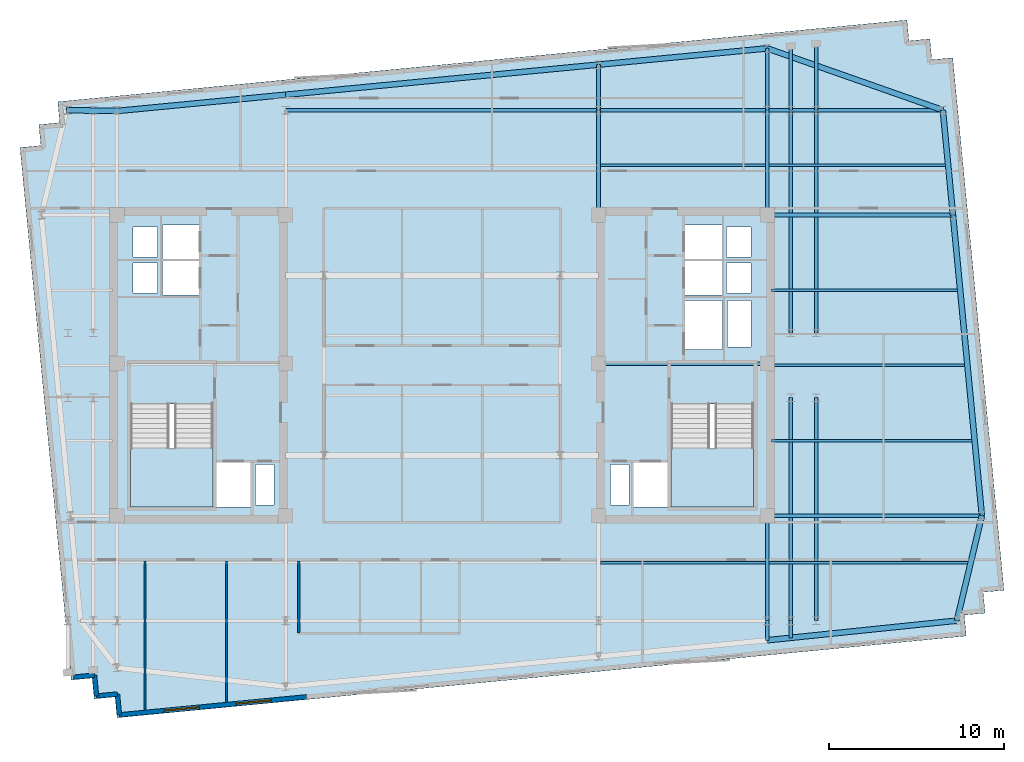
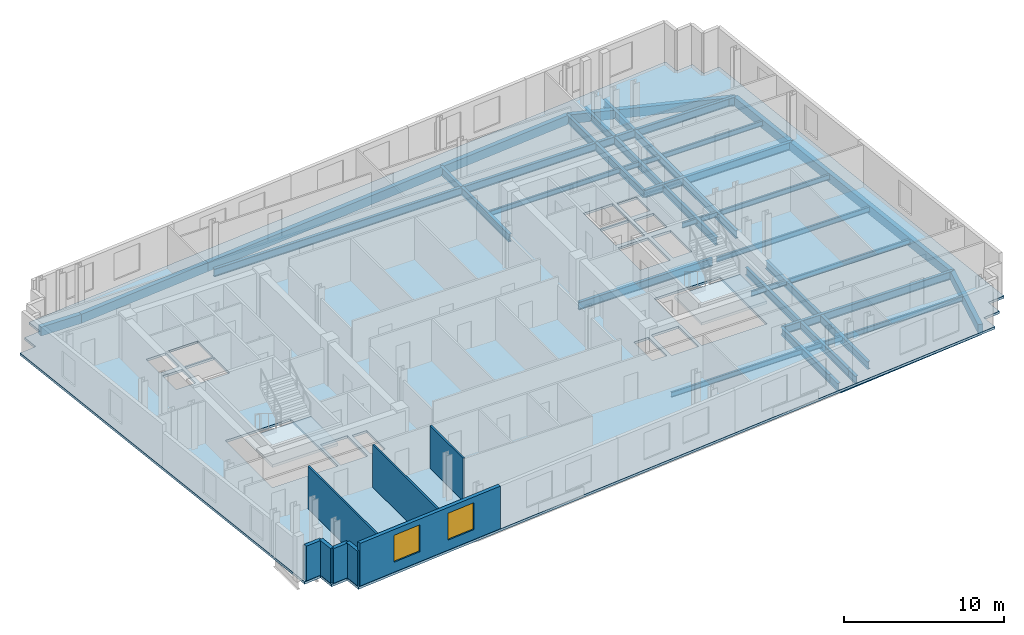
# One storey, part 2 of 9: 35 beams, 8 walls, 3 slabs, 2 windows, 2 openings, 2 elements without a shape of their own.
"""IFC4 building model written with IfcOpenShell, lengths in metres."""

import ifcopenshell
import ifcopenshell.guid

model = None  # the IFC model being written
_history = None  # IfcOwnerHistory: only IFC2X3 demands one
_inside = {}  # id of a spatial element -> (the spatial element, [elements in it])
_under = {}  # id of a project, library or spatial element -> (it, [spatial elements below it])
_declared = {}  # id of a project -> (the project, [libraries it declares])
_typed = {}  # id of a type object -> (the type object, [elements of that type])
_made_of = {}  # id of a material, layer set ... -> (it, [elements and type objects made of it])


def new_model(schema):
    """Start an empty IFC model of exactly this schema.

    Asked for "IFC4X3", IfcOpenShell would pick the latest addendum, in which some entities
    have other attributes; the version numbers below select the first issue.
    IFC2X3 requires an IfcOwnerHistory on every rooted entity: one is made here for all.
    """
    global model, _history
    if schema == "IFC4X3":
        model = ifcopenshell.file(schema_version=(4, 3, 0, 0))
    else:
        model = ifcopenshell.file(schema=schema)
    _inside.clear()
    _under.clear()
    _declared.clear()
    _typed.clear()
    _made_of.clear()
    _history = None
    if model.schema == "IFC2X3":
        org = make("IfcOrganization", Name="unknown")
        user = make(
            "IfcPersonAndOrganization",
            ThePerson=make("IfcPerson", FamilyName="unknown"),
            TheOrganization=org,
        )
        app = make(
            "IfcApplication",
            ApplicationDeveloper=org,
            Version="unknown",
            ApplicationFullName="unknown",
            ApplicationIdentifier="unknown",
        )
        _history = make(
            "IfcOwnerHistory",
            OwningUser=user,
            OwningApplication=app,
            ChangeAction="ADDED",
            CreationDate=0,
        )
    return model


def make(cls, **values):
    """One entity of the class cls with the attributes given. An attribute that is None is left unset."""
    return model.create_entity(
        cls, **{name: value for name, value in values.items() if value is not None}
    )


def rooted(cls, **values):
    """An entity with a GlobalId (a new one), such as an element, a storey or a relation."""
    return make(cls, GlobalId=ifcopenshell.guid.new(), OwnerHistory=_history, **values)


def si_unit(unit_type, name, prefix=None):
    """IfcSIUnit, for example si_unit("LENGTHUNIT", "METRE", prefix="MILLI")."""
    return make("IfcSIUnit", UnitType=unit_type, Prefix=prefix, Name=name)


def assignment(units):
    """IfcUnitAssignment: the units of a project."""
    return None if units is None else make("IfcUnitAssignment", Units=units)


def point(xyz):
    """IfcCartesianPoint."""
    return None if xyz is None else make("IfcCartesianPoint", Coordinates=xyz)


def direction(xyz):
    """IfcDirection."""
    return None if xyz is None else make("IfcDirection", DirectionRatios=xyz)


def frame(location, z_axis=None, x_axis=None):
    """IfcAxis2Placement3D, a coordinate frame: its origin and axes. An axis left out is left unset."""
    return make(
        "IfcAxis2Placement3D",
        Location=point(location),
        Axis=direction(z_axis),
        RefDirection=direction(x_axis),
    )


def frame_2d(location, x_axis=None):
    """IfcAxis2Placement2D, a coordinate frame in the plane: its origin and x axis."""
    return make(
        "IfcAxis2Placement2D", Location=point(location), RefDirection=direction(x_axis)
    )


def origin():
    """The frame at (0, 0, 0) with its axes left unset."""
    return frame((0.0, 0.0, 0.0))


def origin_2d():
    """The frame at (0, 0) in the plane with its x axis left unset."""
    return frame_2d((0.0, 0.0))


def place(relative_to, where):
    """IfcLocalPlacement: puts the frame where relative to a parent placement (None: the world)."""
    return make(
        "IfcLocalPlacement", PlacementRelTo=relative_to, RelativePlacement=where
    )


def context(
    kind, dimensions, precision=None, world=None, true_north=None, identifier=None
):
    """IfcGeometricRepresentationContext, for example the 3D "Model" context."""
    return make(
        "IfcGeometricRepresentationContext",
        ContextIdentifier=identifier,
        ContextType=kind,
        CoordinateSpaceDimension=dimensions,
        Precision=precision,
        WorldCoordinateSystem=world,
        TrueNorth=true_north,
    )


def subcontext(parent, identifier, kind, view, scale=None):
    """IfcGeometricRepresentationSubContext, for example "Body" below "Model"."""
    return make(
        "IfcGeometricRepresentationSubContext",
        ContextIdentifier=identifier,
        ContextType=kind,
        ParentContext=parent,
        TargetScale=scale,
        TargetView=view,
    )


def project(units=None, contexts=None):
    """IfcProject with its units and contexts."""
    return rooted(
        "IfcProject",
        Name="project",
        RepresentationContexts=contexts,
        UnitsInContext=assignment(units),
    )


def spatial(cls, under=None, at=None, **own):
    """A site, building, storey or space (cls), placed at a placement, below another one or the project."""
    s = rooted(cls, ObjectPlacement=at, **own)
    if under is not None:
        _under.setdefault(under.id(), (under, []))[1].append(s)
    return s


def polyline(points):
    """IfcPolyline through the points."""
    return make("IfcPolyline", Points=[point(p) for p in points])


def profile(cls, at=None, kind="AREA", **sizes):
    """A parametric profile (cls). Its sizes go by their IFC names, for example OverallWidth=200.0."""
    return make(cls, ProfileType=kind, Position=at, **sizes)


def rectangle(**sizes):
    """IfcRectangleProfileDef."""
    return profile("IfcRectangleProfileDef", **sizes)


def i_section(**sizes):
    """IfcIShapeProfileDef."""
    return profile("IfcIShapeProfileDef", **sizes)


def outline(outer, holes=None, kind="AREA"):
    """IfcArbitraryClosedProfileDef: a profile drawn as a closed curve; with holes, ...WithVoids."""
    if holes is None:
        return make("IfcArbitraryClosedProfileDef", ProfileType=kind, OuterCurve=outer)
    return make(
        "IfcArbitraryProfileDefWithVoids",
        ProfileType=kind,
        OuterCurve=outer,
        InnerCurves=holes,
    )


def extrude(swept, where, along, depth):
    """IfcExtrudedAreaSolid: the profile swept, set in the frame where, extruded along a direction by depth."""
    return make(
        "IfcExtrudedAreaSolid",
        SweptArea=swept,
        Position=where,
        ExtrudedDirection=direction(along),
        Depth=depth,
    )


def shape(context_of_items, identifier, shape_type, items):
    """IfcShapeRepresentation: the items that make up one representation, for example the "Body"."""
    return make(
        "IfcShapeRepresentation",
        ContextOfItems=context_of_items,
        RepresentationIdentifier=identifier,
        RepresentationType=shape_type,
        Items=items,
    )


def material(Name=None, Category=None):
    """IfcMaterial."""
    return make("IfcMaterial", Name=Name, Category=Category)


def layer(
    of_material, thickness, ventilated=None, Name=None, Category=None, Priority=None
):
    """IfcMaterialLayer: one layer of a wall or slab, of a material (None: an air gap)."""
    return make(
        "IfcMaterialLayer",
        Material=of_material,
        LayerThickness=thickness,
        IsVentilated=ventilated,
        Name=Name,
        Category=Category,
        Priority=Priority,
    )


def layer_set(layers, Name=None):
    """IfcMaterialLayerSet."""
    return make("IfcMaterialLayerSet", MaterialLayers=layers, LayerSetName=Name)


def material_profile(
    of_material, cross_section, Name=None, Category=None, Priority=None
):
    """IfcMaterialProfile: a cross section and its material."""
    return make(
        "IfcMaterialProfile",
        Name=Name,
        Material=of_material,
        Profile=cross_section,
        Priority=Priority,
        Category=Category,
    )


def profile_set(profiles, Name=None, composite=None):
    """IfcMaterialProfileSet."""
    return make(
        "IfcMaterialProfileSet",
        Name=Name,
        MaterialProfiles=profiles,
        CompositeProfile=composite,
    )


def made_of(thing, what):
    """Note that an element or type object is made of a material, layer set ...; save() writes the relation."""
    if what is not None:
        _made_of.setdefault(what.id(), (what, []))[1].append(thing)
    return thing


def type_object(cls, material=None, **own):
    """A type object (cls), such as IfcWallType, which elements share."""
    return made_of(rooted(cls, **own), material)


def element(
    cls,
    number,
    at=None,
    inside=None,
    cuts=None,
    type_object=None,
    material=None,
    context=None,
    identifier="Body",
    shape_type=None,
    held_by="IfcProductDefinitionShape",
    body=None,
    shapes=None,
    **own,
):
    """One element of the class cls, such as IfcWall. Its Tag is "e" and its number.

    at: its placement. inside: the storey or other place that contains it. cuts: it is an
    opening in that element (IfcRelVoidsElement). A single representation is given by context,
    identifier, shape_type and body (its items); several are given by shapes. held_by: the class
    of the entity that holds the representations. save() writes the other relations.
    """
    e = rooted(cls, Tag="e%d" % number, ObjectPlacement=at, **own)
    if body is not None:
        shapes = [shape(context, identifier, shape_type, body)]
    if shapes is not None:
        e.Representation = make(held_by, Representations=shapes)
    if inside is not None:
        _inside.setdefault(inside.id(), (inside, []))[1].append(e)
    if cuts is not None:
        rooted(
            "IfcRelVoidsElement", RelatingBuildingElement=cuts, RelatedOpeningElement=e
        )
    if type_object is not None:
        _typed.setdefault(type_object.id(), (type_object, []))[1].append(e)
    return made_of(e, material)


def fill(opening, filler):
    """IfcRelFillsElement: the door or window that sits in an opening."""
    return rooted(
        "IfcRelFillsElement",
        RelatingOpeningElement=opening,
        RelatedBuildingElement=filler,
    )


def aggregate(whole, parts):
    """IfcRelAggregates: a whole, such as a stair, and the parts it consists of."""
    return rooted("IfcRelAggregates", RelatingObject=whole, RelatedObjects=parts)


def save(model, path):
    """Write the relations noted so far, then the file.

    IfcRelAggregates (storeys below a building ...), IfcRelContainedInSpatialStructure (elements
    in a storey), IfcRelDefinesByType, IfcRelAssociatesMaterial and IfcRelDeclares: one each for
    every whole, place, type object, material and project.
    """
    for whole, parts in _under.values():
        aggregate(whole, parts)
    for where, things in _inside.values():
        rooted(
            "IfcRelContainedInSpatialStructure",
            RelatedElements=things,
            RelatingStructure=where,
        )
    for kind, things in _typed.values():
        rooted("IfcRelDefinesByType", RelatedObjects=things, RelatingType=kind)
    for what, things in _made_of.values():
        rooted("IfcRelAssociatesMaterial", RelatedObjects=things, RelatingMaterial=what)
    for by, libraries in _declared.values():
        rooted("IfcRelDeclares", RelatingContext=by, RelatedDefinitions=libraries)
    model.write(path)


model = new_model("IFC4")

# Units and contexts
model_context = context("Model", 3, precision=1e-05, world=origin(), true_north=direction((0.0, 1.0)))
body_context = subcontext(model_context, "Body", "Model", "MODEL_VIEW")
ifc_project = project(units=[si_unit("LENGTHUNIT", "METRE"), si_unit("AREAUNIT", "SQUARE_METRE"), si_unit("VOLUMEUNIT", "CUBIC_METRE"), si_unit("PLANEANGLEUNIT", "RADIAN"), si_unit("MASSUNIT", "GRAM", prefix="KILO")], contexts=[model_context])

# Site, building, storey
site_placement = place(None, origin())
site = spatial("IfcSite", under=ifc_project, at=site_placement, CompositionType="ELEMENT")
building_placement = place(site_placement, origin())
building = spatial("IfcBuilding", under=site, at=building_placement, Name="Velakula Bourse", CompositionType="ELEMENT")
storey_placement = place(building_placement, frame((0.0, 0.0, 275.85009765625)))
storey = spatial("IfcBuildingStorey", under=building, at=storey_placement, Name="L75", CompositionType="ELEMENT", Elevation=275.85009765625)

# Beams
ifc_material_1 = material(Name="Steel IS 2062 Grade 350 (E350)", Category="steel")
ifc_material_profile_1 = material_profile(ifc_material_1, i_section(OverallWidth=0.2099609375, OverallDepth=0.60009765625, WebThickness=0.011962890625, FlangeThickness=0.020751953125, at=origin_2d()), Name="Steel IS 2062 Grade 350 (E350)")
ifc_profile_set_1 = profile_set([ifc_material_profile_1], Name="Steel IS 2062 Grade 350 (E350)")
beam_type_1 = type_object("IfcBeamType", Name="BM-GRD-600L", PredefinedType="BEAM", material=ifc_profile_set_1)
beam_1_placement = place(storey_placement, frame((8.949951171875, 0.10009765625, -0.47998046875), z_axis=(1.0, 0.0, 0.0), x_axis=(0.0, 1.0, 0.0)))
element("IfcBeam", 1, at=beam_1_placement, inside=storey, type_object=beam_type_1, Name="L75 Primary Backbone Girder CRE-M", PredefinedType="BEAM", context=body_context, shape_type="SweptSolid", body=[
    extrude(i_section(OverallWidth=0.2099609375, OverallDepth=0.60009765625, WebThickness=0.011962890625, FlangeThickness=0.020751953125, at=origin_2d()), origin(), (0.0, 0.0, 1.0), 9.650146484375),
])
for number, where, z_axis, x_axis, name in (
    (2, (8.949951171875, 8.60009765625, -0.47998046875), (0.0, 1.0, 0.0), (-1.0, 0.0, 0.0), "L75 Fulcrum Grid Girder FLC-ECN"),
    (3, (18.60009765625, -14.60009765625, -0.47998046875), (0.0, 1.0, 0.0), (-1.0, 0.0, 0.0), "L75 Fulcrum Grid Girder FLC-ES"),
    (4, (18.60009765625, 8.60009765625, -0.47998046875), (0.0, 1.0, 0.0), (-1.0, 0.0, 0.0), "L75 Fulcrum Grid Girder FLC-EN"),
):
    element("IfcBeam", number, at=place(storey_placement, frame(where, z_axis=z_axis, x_axis=x_axis)), inside=storey, type_object=beam_type_1, Name=name, PredefinedType="BEAM", context=body_context, shape_type="SweptSolid", body=[
        extrude(i_section(OverallWidth=0.2099609375, OverallDepth=0.60009765625, WebThickness=0.011962890625, FlangeThickness=0.020751953125, at=origin_2d()), origin(), (0.0, 0.0, 1.0), 6.0),
    ])
beam_2_placement = place(storey_placement, frame((-8.949951171875, 14.60009765625, -0.47998046875), z_axis=(1.0, 0.0, 0.0), x_axis=(0.0, 1.0, 0.0)))
element("IfcBeam", 5, at=beam_2_placement, inside=storey, type_object=beam_type_1, Name="L75 Fulcrum Grid Girder FLC-N2", PredefinedType="BEAM", context=body_context, shape_type="SweptSolid", body=[
    extrude(i_section(OverallWidth=0.2099609375, OverallDepth=0.60009765625, WebThickness=0.011962890625, FlangeThickness=0.020751953125, at=origin_2d()), origin(), (0.0, 0.0, 1.0), 17.89990234375),
])
beam_3_placement = place(storey_placement, frame((8.949951171875, 14.60009765625, -0.47998046875), z_axis=(1.0, 0.0, 0.0), x_axis=(0.0, 1.0, 0.0)))
element("IfcBeam", 6, at=beam_3_placement, inside=storey, type_object=beam_type_1, Name="L75 Fulcrum Grid Girder FLC-N3", PredefinedType="BEAM", context=body_context, shape_type="SweptSolid", body=[
    extrude(i_section(OverallWidth=0.2099609375, OverallDepth=0.60009765625, WebThickness=0.011962890625, FlangeThickness=0.020751953125, at=origin_2d()), origin(), (0.0, 0.0, 1.0), 9.650146484375),
])
for number, where, z_axis, x_axis, name in (
    (7, (19.949951171875, -14.60009765625, -0.47998046875), (0.0, 1.0, 0.0), (-1.0, 0.0, 0.0), "L75 Fulcrum Grid Girder FLC-PSE1"),
    (8, (19.949951171875, 1.85009765625, -0.47998046875), (0.0, 1.0, 0.0), (-1.0, 0.0, 0.0), "L75 Fulcrum Grid Girder FLC-PNE1"),
    (9, (21.39990234375, -14.60009765625, -0.47998046875), (0.0, 1.0, 0.0), (-1.0, 0.0, 0.0), "L75 Fulcrum Grid Girder FLC-PSE2"),
    (10, (21.39990234375, 1.85009765625, -0.47998046875), (0.0, 1.0, 0.0), (-1.0, 0.0, 0.0), "L75 Fulcrum Grid Girder FLC-PNE2"),
):
    element("IfcBeam", number, at=place(storey_placement, frame(where, z_axis=z_axis, x_axis=x_axis)), inside=storey, type_object=beam_type_1, Name=name, PredefinedType="BEAM", context=body_context, shape_type="SweptSolid", body=[
        extrude(i_section(OverallWidth=0.2099609375, OverallDepth=0.60009765625, WebThickness=0.011962890625, FlangeThickness=0.020751953125, at=origin_2d()), origin(), (0.0, 0.0, 1.0), 12.75),
    ])
beam_4_placement = place(storey_placement, frame((18.60009765625, -14.60009765625, -0.47998046875), z_axis=(0.0, -1.0, 0.0), x_axis=(1.0, 0.0, 0.0)))
element("IfcBeam", 11, at=beam_4_placement, inside=storey, type_object=beam_type_1, Name="L75 Perimeter Tie Girder S4", PredefinedType="BEAM", context=body_context, shape_type="SweptSolid", body=[
    extrude(i_section(OverallWidth=0.2099609375, OverallDepth=0.60009765625, WebThickness=0.011962890625, FlangeThickness=0.020751953125, at=origin_2d()), origin(), (0.0, 0.0, 1.0), 1.1220703125),
])
beam_5_placement = place(storey_placement, frame((8.949951171875, 14.60009765625, -0.47998046875), z_axis=(0.0, 1.0, 0.0), x_axis=(-1.0, 0.0, 0.0)))
element("IfcBeam", 12, at=beam_5_placement, inside=storey, type_object=beam_type_1, Name="L75 Perimeter Tie Girder N3", PredefinedType="BEAM", context=body_context, shape_type="SweptSolid", body=[
    extrude(i_section(OverallWidth=0.2099609375, OverallDepth=0.60009765625, WebThickness=0.011962890625, FlangeThickness=0.020751953125, at=origin_2d()), origin(), (0.0, 0.0, 1.0), 2.6044921875),
])
beam_6_placement = place(storey_placement, frame((18.60009765625, 14.60009765625, -0.47998046875), z_axis=(0.0, 1.0, 0.0), x_axis=(-1.0, 0.0, 0.0)))
element("IfcBeam", 13, at=beam_6_placement, inside=storey, type_object=beam_type_1, Name="L75 Perimeter Tie Girder N4", PredefinedType="BEAM", context=body_context, shape_type="SweptSolid", body=[
    extrude(i_section(OverallWidth=0.2099609375, OverallDepth=0.60009765625, WebThickness=0.011962890625, FlangeThickness=0.020751953125, at=origin_2d()), origin(), (0.0, 0.0, 1.0), 3.53369140625),
])
beam_7_placement = place(storey_placement, frame((18.60009765625, -8.60009765625, -0.47998046875), z_axis=(1.0, 0.0, 0.0), x_axis=(0.0, 1.0, 0.0)))
element("IfcBeam", 14, at=beam_7_placement, inside=storey, type_object=beam_type_1, Name="L75 Perimeter Tie Girder E2", PredefinedType="BEAM", context=body_context, shape_type="SweptSolid", body=[
    extrude(i_section(OverallWidth=0.2099609375, OverallDepth=0.60009765625, WebThickness=0.011962890625, FlangeThickness=0.020751953125, at=origin_2d()), origin(), (0.0, 0.0, 1.0), 12.27880859375),
])
beam_8_placement = place(storey_placement, frame((18.60009765625, 8.60009765625, -0.47998046875), z_axis=(1.0, 0.0, 0.0), x_axis=(0.0, 1.0, 0.0)))
element("IfcBeam", 15, at=beam_8_placement, inside=storey, type_object=beam_type_1, Name="L75 Perimeter Tie Girder E3", PredefinedType="BEAM", context=body_context, shape_type="SweptSolid", body=[
    extrude(i_section(OverallWidth=0.2099609375, OverallDepth=0.60009765625, WebThickness=0.011962890625, FlangeThickness=0.020751953125, at=origin_2d()), origin(), (0.0, 0.0, 1.0), 10.62255859375),
])
beam_9_placement = place(storey_placement, frame((18.60009765625, 14.60009765625, -0.47998046875), z_axis=(1.0, 0.0, 0.0), x_axis=(0.0, 1.0, 0.0)))
element("IfcBeam", 16, at=beam_9_placement, inside=storey, type_object=beam_type_1, Name="L75 Perimeter Tie Girder E4", PredefinedType="BEAM", context=body_context, shape_type="SweptSolid", body=[
    extrude(i_section(OverallWidth=0.2099609375, OverallDepth=0.60009765625, WebThickness=0.011962890625, FlangeThickness=0.020751953125, at=origin_2d()), origin(), (0.0, 0.0, 1.0), 10.044921875),
])
beam_10_placement = place(storey_placement, frame((19.949951171875, -14.60009765625, -0.47998046875), z_axis=(0.0, -1.0, 0.0), x_axis=(1.0, 0.0, 0.0)))
element("IfcBeam", 17, at=beam_10_placement, inside=storey, type_object=beam_type_1, Name="L75 Perimeter Tie Girder P03", PredefinedType="BEAM", context=body_context, shape_type="SweptSolid", body=[
    extrude(i_section(OverallWidth=0.2099609375, OverallDepth=0.60009765625, WebThickness=0.011962890625, FlangeThickness=0.020751953125, at=origin_2d()), origin(), (0.0, 0.0, 1.0), 0.991943359375),
])
beam_11_placement = place(storey_placement, frame((19.949951171875, 14.60009765625, -0.47998046875), z_axis=(0.0, 1.0, 0.0), x_axis=(-1.0, 0.0, 0.0)))
element("IfcBeam", 18, at=beam_11_placement, inside=storey, type_object=beam_type_1, Name="L75 Perimeter Tie Girder P07", PredefinedType="BEAM", context=body_context, shape_type="SweptSolid", body=[
    extrude(i_section(OverallWidth=0.2099609375, OverallDepth=0.60009765625, WebThickness=0.011962890625, FlangeThickness=0.020751953125, at=origin_2d()), origin(), (0.0, 0.0, 1.0), 3.66357421875),
])
beam_12_placement = place(storey_placement, frame((21.39990234375, 14.60009765625, -0.47998046875), z_axis=(0.0, 1.0, 0.0), x_axis=(-1.0, 0.0, 0.0)))
element("IfcBeam", 19, at=beam_12_placement, inside=storey, type_object=beam_type_1, Name="L75 Perimeter Tie Girder P08", PredefinedType="BEAM", context=body_context, shape_type="SweptSolid", body=[
    extrude(i_section(OverallWidth=0.2099609375, OverallDepth=0.60009765625, WebThickness=0.011962890625, FlangeThickness=0.020751953125, at=origin_2d()), origin(), (0.0, 0.0, 1.0), 3.80322265625),
])
ifc_material_profile_2 = material_profile(ifc_material_1, i_section(OverallWidth=0.139892578125, OverallDepth=0.39990234375, WebThickness=0.0087890625, FlangeThickness=0.01611328125, at=origin_2d()), Name="Steel IS 2062 Grade 350 (E350)")
ifc_profile_set_2 = profile_set([ifc_material_profile_2], Name="Steel IS 2062 Grade 350 (E350)")
beam_type_2 = type_object("IfcBeamType", Name="JST-TWR-400", PredefinedType="JOIST", material=ifc_profile_set_2)
beam_13_placement = place(storey_placement, frame((9.054931640625, -11.300048828125, -0.380126953125), z_axis=(1.0, 0.0, 0.0), x_axis=(0.0, 1.0, 0.0)))
element("IfcBeam", 20, at=beam_13_placement, inside=storey, type_object=beam_type_2, Name="L75 Trading Floor Composite Joist 06", PredefinedType="JOIST", context=body_context, shape_type="SweptSolid", body=[
    extrude(i_section(OverallWidth=0.139892578125, OverallDepth=0.39990234375, WebThickness=0.0087890625, FlangeThickness=0.01611328125, at=origin_2d()), origin(), (0.0, 0.0, 1.0), 9.440185546875),
])
beam_14_placement = place(storey_placement, frame((18.705078125, -11.300048828125, -0.380126953125), z_axis=(1.0, 0.0, 0.0), x_axis=(0.0, 1.0, 0.0)))
element("IfcBeam", 21, at=beam_14_placement, inside=storey, type_object=beam_type_2, Name="L75 Trading Floor Composite Joist 07", PredefinedType="JOIST", context=body_context, shape_type="SweptSolid", body=[
    extrude(i_section(OverallWidth=0.139892578125, OverallDepth=0.39990234375, WebThickness=0.0087890625, FlangeThickness=0.01611328125, at=origin_2d()), origin(), (0.0, 0.0, 1.0), 11.364990234375),
])
beam_15_placement = place(storey_placement, frame((9.054931640625, 11.449951171875, -0.380126953125), z_axis=(1.0, 0.0, 0.0), x_axis=(0.0, 1.0, 0.0)))
element("IfcBeam", 22, at=beam_15_placement, inside=storey, type_object=beam_type_2, Name="L75 Trading Floor Composite Joist 11", PredefinedType="JOIST", context=body_context, shape_type="SweptSolid", body=[
    extrude(i_section(OverallWidth=0.139892578125, OverallDepth=0.39990234375, WebThickness=0.0087890625, FlangeThickness=0.01611328125, at=origin_2d()), origin(), (0.0, 0.0, 1.0), 9.440185546875),
])
beam_16_placement = place(storey_placement, frame((18.705078125, 11.449951171875, -0.380126953125), z_axis=(1.0, 0.0, 0.0), x_axis=(0.0, 1.0, 0.0)))
element("IfcBeam", 23, at=beam_16_placement, inside=storey, type_object=beam_type_2, Name="L75 Trading Floor Composite Joist 12", PredefinedType="JOIST", context=body_context, shape_type="SweptSolid", body=[
    extrude(i_section(OverallWidth=0.139892578125, OverallDepth=0.39990234375, WebThickness=0.0087890625, FlangeThickness=0.01611328125, at=origin_2d()), origin(), (0.0, 0.0, 1.0), 10.08251953125),
])
beam_17_placement = place(storey_placement, frame((18.85009765625, -4.300048828125, -0.380126953125), z_axis=(1.0, 0.0, 0.0), x_axis=(0.0, 1.0, 0.0)))
element("IfcBeam", 24, at=beam_17_placement, inside=storey, type_object=beam_type_2, Name="L75 Trading Floor Composite Joist 17", PredefinedType="JOIST", context=body_context, shape_type="SweptSolid", body=[
    extrude(i_section(OverallWidth=0.139892578125, OverallDepth=0.39990234375, WebThickness=0.0087890625, FlangeThickness=0.01611328125, at=origin_2d()), origin(), (0.0, 0.0, 1.0), 11.453857421875),
])
beam_18_placement = place(storey_placement, frame((18.85009765625, 0.0, -0.380126953125), z_axis=(1.0, 0.0, 0.0), x_axis=(0.0, 1.0, 0.0)))
element("IfcBeam", 25, at=beam_18_placement, inside=storey, type_object=beam_type_2, Name="L75 Trading Floor Composite Joist 19", PredefinedType="JOIST", context=body_context, shape_type="SweptSolid", body=[
    extrude(i_section(OverallWidth=0.139892578125, OverallDepth=0.39990234375, WebThickness=0.0087890625, FlangeThickness=0.01611328125, at=origin_2d()), origin(), (0.0, 0.0, 1.0), 11.039794921875),
])
beam_19_placement = place(storey_placement, frame((18.85009765625, 4.300048828125, -0.380126953125), z_axis=(1.0, 0.0, 0.0), x_axis=(0.0, 1.0, 0.0)))
element("IfcBeam", 26, at=beam_19_placement, inside=storey, type_object=beam_type_2, Name="L75 Trading Floor Composite Joist 21", PredefinedType="JOIST", context=body_context, shape_type="SweptSolid", body=[
    extrude(i_section(OverallWidth=0.139892578125, OverallDepth=0.39990234375, WebThickness=0.0087890625, FlangeThickness=0.01611328125, at=origin_2d()), origin(), (0.0, 0.0, 1.0), 10.6259765625),
])
ifc_material_2 = material(Name="Precast concrete M45 (fck 45 MPa)", Category="concrete")
ifc_material_profile_3 = material_profile(ifc_material_2, rectangle(XDim=0.320068359375, YDim=0.679931640625, at=origin_2d()), Name="Precast concrete M45 (fck 45 MPa)")
ifc_profile_set_3 = profile_set([ifc_material_profile_3], Name="Precast concrete M45 (fck 45 MPa)")
beam_type_3 = type_object("IfcBeamType", Name="SPN-BRICK-680", PredefinedType="SPANDREL", material=ifc_profile_set_3)
beam_20_placement = place(storey_placement, frame((-18.60009765625, 14.5517578125, -0.52001953125), z_axis=(0.99539623971, 0.095845323155, 0.0), x_axis=(-0.095845323155, 0.99539623971, 0.0)))
element("IfcBeam", 27, at=beam_20_placement, inside=storey, type_object=beam_type_3, Name="L75 Brick-Faced Precast Spandrel N1-N2", PredefinedType="SPANDREL", context=body_context, shape_type="SweptSolid", body=[
    extrude(rectangle(XDim=0.320068359375, YDim=0.679931640625, at=origin_2d()), origin(), (0.0, 0.0, 1.0), 9.69482421875),
])
beam_21_placement = place(storey_placement, frame((-8.949951171875, 15.48095703125, -0.52001953125), z_axis=(0.995395836254, 0.095849513134, 0.0), x_axis=(-0.095849513134, 0.995395836254, 0.0)))
element("IfcBeam", 28, at=beam_21_placement, inside=storey, type_object=beam_type_3, Name="L75 Brick-Faced Precast Spandrel N2-N3", PredefinedType="SPANDREL", context=body_context, shape_type="SweptSolid", body=[
    extrude(rectangle(XDim=0.320068359375, YDim=0.679931640625, at=origin_2d()), origin(), (0.0, 0.0, 1.0), 17.982666015625),
])
beam_22_placement = place(storey_placement, frame((8.949951171875, 17.20458984375, -0.52001953125), z_axis=(0.99539623971, 0.095845323155, 0.0), x_axis=(-0.095845323155, 0.99539623971, 0.0)))
element("IfcBeam", 29, at=beam_22_placement, inside=storey, type_object=beam_type_3, Name="L75 Brick-Faced Precast Spandrel N3-N4", PredefinedType="SPANDREL", context=body_context, shape_type="SweptSolid", body=[
    extrude(rectangle(XDim=0.320068359375, YDim=0.679931640625, at=origin_2d()), origin(), (0.0, 0.0, 1.0), 9.69482421875),
])
beam_23_placement = place(storey_placement, frame((29.447265625, -14.60009765625, -0.52001953125), z_axis=(0.232091371601, 0.972693988482, 0.0), x_axis=(-0.972693988482, 0.232091371601, 0.0)))
element("IfcBeam", 30, at=beam_23_placement, inside=storey, type_object=beam_type_3, Name="L75 Brick-Faced Precast Spandrel E1-E2", PredefinedType="SPANDREL", context=body_context, shape_type="SweptSolid", body=[
    extrude(rectangle(XDim=0.320068359375, YDim=0.679931640625, at=origin_2d()), origin(), (0.0, 0.0, 1.0), 6.16845703125),
])
beam_24_placement = place(storey_placement, frame((30.87890625, -8.60009765625, -0.52001953125), z_axis=(-0.095849167925, 0.995395869495, 0.0), x_axis=(-0.995395869495, -0.095849167925, 0.0)))
element("IfcBeam", 31, at=beam_24_placement, inside=storey, type_object=beam_type_3, Name="L75 Brick-Faced Precast Spandrel E2-E3", PredefinedType="SPANDREL", context=body_context, shape_type="SweptSolid", body=[
    extrude(rectangle(XDim=0.320068359375, YDim=0.679931640625, at=origin_2d()), origin(), (0.0, 0.0, 1.0), 17.27978515625),
])
beam_25_placement = place(storey_placement, frame((29.22265625, 8.60009765625, -0.52001953125), z_axis=(-0.095829714309, 0.995397742541, 0.0), x_axis=(-0.995397742541, -0.095829714309, 0.0)))
element("IfcBeam", 32, at=beam_25_placement, inside=storey, type_object=beam_type_3, Name="L75 Brick-Faced Precast Spandrel E3-E4", PredefinedType="SPANDREL", context=body_context, shape_type="SweptSolid", body=[
    extrude(rectangle(XDim=0.320068359375, YDim=0.679931640625, at=origin_2d()), origin(), (0.0, 0.0, 1.0), 6.02783203125),
])
beam_26_placement = place(storey_placement, frame((18.60009765625, -15.72216796875, -0.52001953125), z_axis=(0.994692267912, 0.102894568159, 0.0), x_axis=(-0.102894568159, 0.994692267912, 0.0)))
element("IfcBeam", 33, at=beam_26_placement, inside=storey, type_object=beam_type_3, Name="L75 Brick-Faced Precast Spandrel S4-E1", PredefinedType="SPANDREL", context=body_context, shape_type="SweptSolid", body=[
    extrude(rectangle(XDim=0.320068359375, YDim=0.679931640625, at=origin_2d()), origin(), (0.0, 0.0, 1.0), 10.905029296875),
])
beam_27_placement = place(storey_placement, frame((28.64501953125, 14.60009765625, -0.52001953125), z_axis=(-0.943331000058, 0.331853317491, 0.0), x_axis=(-0.331853317491, -0.943331000058, 0.0)))
element("IfcBeam", 34, at=beam_27_placement, inside=storey, type_object=beam_type_3, Name="L75 Brick-Faced Precast Spandrel E4-N4", PredefinedType="SPANDREL", context=body_context, shape_type="SweptSolid", body=[
    extrude(rectangle(XDim=0.320068359375, YDim=0.679931640625, at=origin_2d()), origin(), (0.0, 0.0, 1.0), 10.6484375),
])
beam_28_placement = place(storey_placement, frame((-18.60009765625, 14.5517578125, -0.52001953125), z_axis=(-0.999859727013, 0.016748919285, 0.0), x_axis=(-0.016748919285, -0.999859727013, 0.0)))
element("IfcBeam", 35, at=beam_28_placement, inside=storey, type_object=beam_type_3, Name="L75 Brick-Faced Precast Spandrel N1-W4", PredefinedType="SPANDREL", context=body_context, shape_type="SweptSolid", body=[
    extrude(rectangle(XDim=0.320068359375, YDim=0.679931640625, at=origin_2d()), origin(), (0.0, 0.0, 1.0), 2.88623046875),
])

# Stair, slab
ifc_material_3 = material(Name="Concrete M45 (fck 45 MPa)", Category="concrete")
stair_type = type_object("IfcStairType", Name="STR-DOG-390", PredefinedType="HALF_TURN_STAIR", material=ifc_material_3)
stair_1_placement = place(storey_placement, origin())
stair_1 = element("IfcStair", 36, at=stair_1_placement, inside=storey, type_object=stair_type, Name="L75 West Core Exit Stair ST-W1", PredefinedType="HALF_TURN_STAIR")
ifc_layer_1 = layer(ifc_material_3, 0.199951171875, Name="Concrete M45 (fck 45 MPa)", Category="concrete")
ifc_layer_set_1 = layer_set([ifc_layer_1], Name="Concrete M45 (fck 45 MPa)")
slab_type_1 = type_object("IfcSlabType", Name="SLB-STAIR-LND-200", PredefinedType="LANDING", material=ifc_layer_set_1)
slab_1_placement = place(storey_placement, frame((0.0, 0.0, 1.52490234375)))
slab_1 = element("IfcSlab", 37, at=slab_1_placement, type_object=slab_type_1, Name="ST-W1 landing 1", PredefinedType="LANDING", context=body_context, shape_type="SweptSolid", body=[
    extrude(outline(polyline([(-17.820068359375, -4.719970703125), (-17.820068359375, -8.10009765625), (-13.10009765625, -8.10009765625), (-13.10009765625, -4.719970703125), (-17.820068359375, -4.719970703125)])), origin(), (0.0, 0.0, 1.0), 0.199951171875),
])
aggregate(stair_1, [slab_1])

stair_2_placement = place(storey_placement, origin())
stair_2 = element("IfcStair", 38, at=stair_2_placement, inside=storey, type_object=stair_type, Name="L75 East Core Exit Stair ST-E1", PredefinedType="HALF_TURN_STAIR")
slab_2_placement = place(storey_placement, frame((0.0, 0.0, 1.52490234375)))
slab_2 = element("IfcSlab", 39, at=slab_2_placement, type_object=slab_type_1, Name="ST-E1 landing 1", PredefinedType="LANDING", context=body_context, shape_type="SweptSolid", body=[
    extrude(outline(polyline([(13.10009765625, -4.719970703125), (13.10009765625, -8.10009765625), (17.820068359375, -8.10009765625), (17.820068359375, -4.719970703125), (13.10009765625, -4.719970703125)])), origin(), (0.0, 0.0, 1.0), 0.199951171875),
])
aggregate(stair_2, [slab_2])

# Slab
ifc_material_4 = material(Name="Concrete M50 (fck 50 MPa)", Category="concrete")
ifc_layer_2 = layer(ifc_material_4, 0.179931640625, Name="Concrete M50 (fck 50 MPa)", Category="concrete")
ifc_layer_set_2 = layer_set([ifc_layer_2], Name="Concrete M50 (fck 50 MPa)")
slab_type_2 = type_object("IfcSlabType", Name="SLB-TWR-180", PredefinedType="FLOOR", material=ifc_layer_set_2)
slab_3_placement = place(storey_placement, frame((0.0, 0.0, -0.18017578125)))
element("IfcSlab", 40, at=slab_3_placement, inside=storey, type_object=slab_type_2, Name="L75 Suspended Structural Floor Slab", PredefinedType="FLOOR", context=body_context, shape_type="SweptSolid", body=[
    extrude(outline(polyline([(-18.59130859375, -20.1572265625), (29.984130859375, -15.47998046875), (29.869140625, -14.285400390625), (31.0634765625, -14.17041015625), (30.948486328125, -12.975830078125), (32.14306640625, -12.86083984375), (29.210205078125, 17.59814453125), (28.015625, 17.483154296875), (27.900634765625, 18.677734375), (26.706298828125, 18.562744140625), (26.59130859375, 19.757080078125), (-21.984130859375, 15.079833984375), (-21.869140625, 13.885498046875), (-23.0634765625, 13.7705078125), (-22.948486328125, 12.575927734375), (-24.14306640625, 12.4609375), (-21.210205078125, -17.998291015625), (-20.015625, -17.88330078125), (-19.900634765625, -19.07763671875), (-18.706298828125, -18.962646484375), (-18.59130859375, -20.1572265625)]), holes=[polyline([(-17.820068359375, -8.10009765625), (-13.10009765625, -8.10009765625), (-13.10009765625, -2.199951171875), (-17.820068359375, -2.199951171875), (-17.820068359375, -8.10009765625)]), polyline([(13.10009765625, -8.10009765625), (17.820068359375, -8.10009765625), (17.820068359375, -2.199951171875), (13.10009765625, -2.199951171875), (13.10009765625, -8.10009765625)]), polyline([(-12.89990234375, -8.10009765625), (-10.949951171875, -8.10009765625), (-10.949951171875, -5.550048828125), (-12.89990234375, -5.550048828125), (-12.89990234375, -8.10009765625)]), polyline([(10.949951171875, -8.10009765625), (12.89990234375, -8.10009765625), (12.89990234375, -5.550048828125), (10.949951171875, -5.550048828125), (10.949951171875, -8.10009765625)]), polyline([(13.89990234375, 0.919921875), (16.050048828125, 0.919921875), (16.050048828125, 3.719970703125), (13.89990234375, 3.719970703125), (13.89990234375, 0.919921875)]), polyline([(-10.679931640625, -7.97998046875), (-9.6201171875, -7.97998046875), (-9.6201171875, -5.669921875), (-10.679931640625, -5.669921875), (-10.679931640625, -7.97998046875)]), polyline([(-17.679931640625, 4.139892578125), (-16.27001953125, 4.139892578125), (-16.27001953125, 5.85009765625), (-17.679931640625, 5.85009765625), (-17.679931640625, 4.139892578125)]), polyline([(-17.679931640625, 6.2099609375), (-16.27001953125, 6.2099609375), (-16.27001953125, 7.919921875), (-17.679931640625, 7.919921875), (-17.679931640625, 6.2099609375)]), polyline([(9.6201171875, -7.97998046875), (10.679931640625, -7.97998046875), (10.679931640625, -5.669921875), (9.6201171875, -5.669921875), (9.6201171875, -7.97998046875)]), polyline([(16.27001953125, 4.139892578125), (17.679931640625, 4.139892578125), (17.679931640625, 5.85009765625), (16.27001953125, 5.85009765625), (16.27001953125, 4.139892578125)]), polyline([(16.27001953125, 6.2099609375), (17.679931640625, 6.2099609375), (17.679931640625, 7.919921875), (16.27001953125, 7.919921875), (16.27001953125, 6.2099609375)]), polyline([(16.320068359375, 1.0400390625), (17.679931640625, 1.0400390625), (17.679931640625, 3.699951171875), (16.320068359375, 3.699951171875), (16.320068359375, 1.0400390625)]), polyline([(-16.0, 4.02001953125), (-13.89990234375, 4.02001953125), (-13.89990234375, 5.969970703125), (-16.0, 5.969970703125), (-16.0, 4.02001953125)]), polyline([(-16.0, 6.090087890625), (-13.89990234375, 6.090087890625), (-13.89990234375, 8.0400390625), (-16.0, 8.0400390625), (-16.0, 6.090087890625)]), polyline([(13.89990234375, 4.02001953125), (16.0, 4.02001953125), (16.0, 5.969970703125), (13.89990234375, 5.969970703125), (13.89990234375, 4.02001953125)]), polyline([(13.89990234375, 6.090087890625), (16.0, 6.090087890625), (16.0, 8.0400390625), (13.89990234375, 8.0400390625), (13.89990234375, 6.090087890625)])]), origin(), (0.0, 0.0, 1.0), 0.18017578125),
])

# Wall, openings, windows
ifc_material_5 = material(Name="Buff kilned clay facing brick masonry", Category="masonry")
ifc_layer_3 = layer(ifc_material_5, 0.260009765625, Name="Buff kilned clay facing brick masonry", Category="masonry")
ifc_layer_set_3 = layer_set([ifc_layer_3], Name="Buff kilned clay facing brick masonry")
wall_type_1 = type_object("IfcWallType", Name="WL-EXT-BRK-260", PredefinedType="STANDARD", material=ifc_layer_set_3)
wall_1_placement = place(storey_placement, frame((-7.755859375, -18.963134765625, 0.0), z_axis=(0.0, 0.0, 1.0), x_axis=(-0.995396745868, -0.095840066339, 0.0)))
wall_1 = element("IfcWall", 41, at=wall_1_placement, inside=storey, type_object=wall_type_1, Name="L75 S Brick Spandrel Wall B1", PredefinedType="STANDARD", context=body_context, shape_type="SweptSolid", body=[
    extrude(rectangle(XDim=10.75, YDim=0.260009765625, at=frame_2d((5.375, 0.0))), origin(), (0.0, 0.0, 1.0), 3.25),
])
opening_1_placement = place(wall_1_placement, frame((2.033203125, 0.0, 0.760009765625)))
opening_1 = element("IfcOpeningElement", 42, at=opening_1_placement, cuts=wall_1, Name="Opening W-05", PredefinedType="OPENING", context=body_context, shape_type="SweptSolid", body=[
    extrude(rectangle(XDim=2.0, YDim=2.050048828125, at=frame_2d((1.0, 1.02490234375))), frame((0.0, 0.139892578125, 0.0), z_axis=(0.0, -1.0, 0.0), x_axis=(1.0, 0.0, 0.0)), (0.0, 0.0, 1.0), 0.280029296875),
])
opening_2_placement = place(wall_1_placement, frame((6.166748046875, 0.0, 0.760009765625)))
opening_2 = element("IfcOpeningElement", 43, at=opening_2_placement, cuts=wall_1, Name="Opening W-05", PredefinedType="OPENING", context=body_context, shape_type="SweptSolid", body=[
    extrude(rectangle(XDim=2.0, YDim=2.050048828125, at=frame_2d((1.0, 1.02490234375))), frame((0.0, 0.139892578125, 0.0), z_axis=(0.0, -1.0, 0.0), x_axis=(1.0, 0.0, 0.0)), (0.0, 0.0, 1.0), 0.280029296875),
])
ifc_material_6 = material(Name="Double-glazed solar-control Low-E glass", Category="glass")
window_type = type_object("IfcWindowType", Name="WIN-TWR-2000x2200", PartitioningType="DOUBLE_PANEL_VERTICAL", PredefinedType="WINDOW", material=ifc_material_6)
window_1_placement = place(opening_1_placement, origin())
window_1 = element("IfcWindow", 44, at=window_1_placement, inside=storey, type_object=window_type, Name="L75 Deep-Set Recessed Window 1", OverallHeight=2.050048828125, OverallWidth=2.0, PartitioningType="DOUBLE_PANEL_VERTICAL", PredefinedType="WINDOW", context=body_context, shape_type="SweptSolid", body=[
    extrude(rectangle(XDim=2.0, YDim=2.050048828125, at=frame_2d((1.0, 1.02490234375))), frame((0.0, 0.030029296875, 0.0), z_axis=(0.0, -1.0, 0.0), x_axis=(1.0, 0.0, 0.0)), (0.0, 0.0, 1.0), 0.06005859375),
])
fill(opening_1, window_1)
window_2_placement = place(opening_2_placement, origin())
window_2 = element("IfcWindow", 45, at=window_2_placement, inside=storey, type_object=window_type, Name="L75 Deep-Set Recessed Window 2", OverallHeight=2.050048828125, OverallWidth=2.0, PartitioningType="DOUBLE_PANEL_VERTICAL", PredefinedType="WINDOW", context=body_context, shape_type="SweptSolid", body=[
    extrude(rectangle(XDim=2.0, YDim=2.050048828125, at=frame_2d((1.0, 1.02490234375))), frame((0.0, 0.030029296875, 0.0), z_axis=(0.0, -1.0, 0.0), x_axis=(1.0, 0.0, 0.0)), (0.0, 0.0, 1.0), 0.06005859375),
])
fill(opening_2, window_2)

# Walls
wall_2_placement = place(storey_placement, frame((-21.0751953125, -17.83447265625, 0.0), z_axis=(0.0, 0.0, 1.0), x_axis=(0.995397091755, 0.095836473879, 0.0)))
element("IfcWall", 46, at=wall_2_placement, inside=storey, type_object=wall_type_1, Name="L75 Serrated Corner Brick Wall SW-1", PredefinedType="STANDARD", context=body_context, shape_type="SweptSolid", body=[
    extrude(rectangle(XDim=1.199951171875, YDim=0.260009765625, at=frame_2d((0.60009765625, 0.0))), origin(), (0.0, 0.0, 1.0), 2.64501953125),
])
for number, where, z_axis, x_axis, name in (
    (47, (-19.880859375, -17.719482421875, 0.0), (0.0, 0.0, 1.0), (0.095817067274, -0.995398960025, 0.0), "L75 Serrated Corner Brick Wall SW-2"),
    (48, (-19.765869140625, -18.9140625, 0.0), (0.0, 0.0, 1.0), (0.995398960025, 0.095817067274, 0.0), "L75 Serrated Corner Brick Wall SW-3"),
):
    element("IfcWall", number, at=place(storey_placement, frame(where, z_axis=z_axis, x_axis=x_axis)), inside=storey, type_object=wall_type_1, Name=name, PredefinedType="STANDARD", context=body_context, shape_type="SweptSolid", body=[
        extrude(rectangle(XDim=1.2001953125, YDim=0.260009765625, at=frame_2d((0.60009765625, 0.0))), origin(), (0.0, 0.0, 1.0), 2.64501953125),
    ])
wall_3_placement = place(storey_placement, frame((-18.5712890625, -18.799072265625, 0.0), z_axis=(0.0, 0.0, 1.0), x_axis=(0.095836473879, -0.995397091755, 0.0)))
element("IfcWall", 49, at=wall_3_placement, inside=storey, type_object=wall_type_1, Name="L75 Serrated Corner Brick Wall SW-4", PredefinedType="STANDARD", context=body_context, shape_type="SweptSolid", body=[
    extrude(rectangle(XDim=1.199951171875, YDim=0.260009765625, at=frame_2d((0.60009765625, 0.0))), origin(), (0.0, 0.0, 1.0), 2.64501953125),
])
ifc_material_7 = material(Name="Fire-rated double-layer gypsum drywall partition", Category="gypsum")
ifc_layer_4 = layer(ifc_material_7, 0.1201171875, Name="Fire-rated double-layer gypsum drywall partition", Category="gypsum")
ifc_layer_set_4 = layer_set([ifc_layer_4], Name="Fire-rated double-layer gypsum drywall partition")
wall_type_2 = type_object("IfcWallType", Name="WL-PART-120", PredefinedType="STANDARD", material=ifc_layer_set_4)
wall_4_placement = place(storey_placement, frame((-8.199951171875, -15.320068359375, 0.0), z_axis=(0.0, 0.0, 1.0), x_axis=(0.0, 1.0, 0.0)))
element("IfcWall", 50, at=wall_4_placement, inside=storey, type_object=wall_type_2, Name="L75 Interior Partition WL-WC-L75-V1", PredefinedType="STANDARD", context=body_context, shape_type="SweptSolid", body=[
    extrude(rectangle(XDim=4.130126953125, YDim=0.1201171875, at=frame_2d((2.06494140625, 0.0))), origin(), (0.0, 0.0, 1.0), 3.25),
])
wall_5_placement = place(storey_placement, frame((-16.993896484375, -19.72216796875, 0.0), z_axis=(0.0, 0.0, 1.0), x_axis=(0.0, 1.0, 0.0)))
element("IfcWall", 51, at=wall_5_placement, inside=storey, type_object=wall_type_2, Name="L75 Interior Partition WL-INT-L75-SL-D5", PredefinedType="STANDARD", context=body_context, shape_type="SweptSolid", body=[
    extrude(rectangle(XDim=8.5322265625, YDim=0.1201171875, at=frame_2d((4.26611328125, 0.0))), origin(), (0.0, 0.0, 1.0), 3.25),
])
wall_6_placement = place(storey_placement, frame((-12.330078125, -19.27294921875, 0.0), z_axis=(0.0, 0.0, 1.0), x_axis=(0.0, 1.0, 0.0)))
element("IfcWall", 52, at=wall_6_placement, inside=storey, type_object=wall_type_2, Name="L75 Interior Partition WL-INT-L75-SL-D6", PredefinedType="STANDARD", context=body_context, shape_type="SweptSolid", body=[
    extrude(rectangle(XDim=8.0830078125, YDim=0.1201171875, at=frame_2d((4.04150390625, 0.0))), origin(), (0.0, 0.0, 1.0), 3.25),
])

save(model, "model.ifc")
